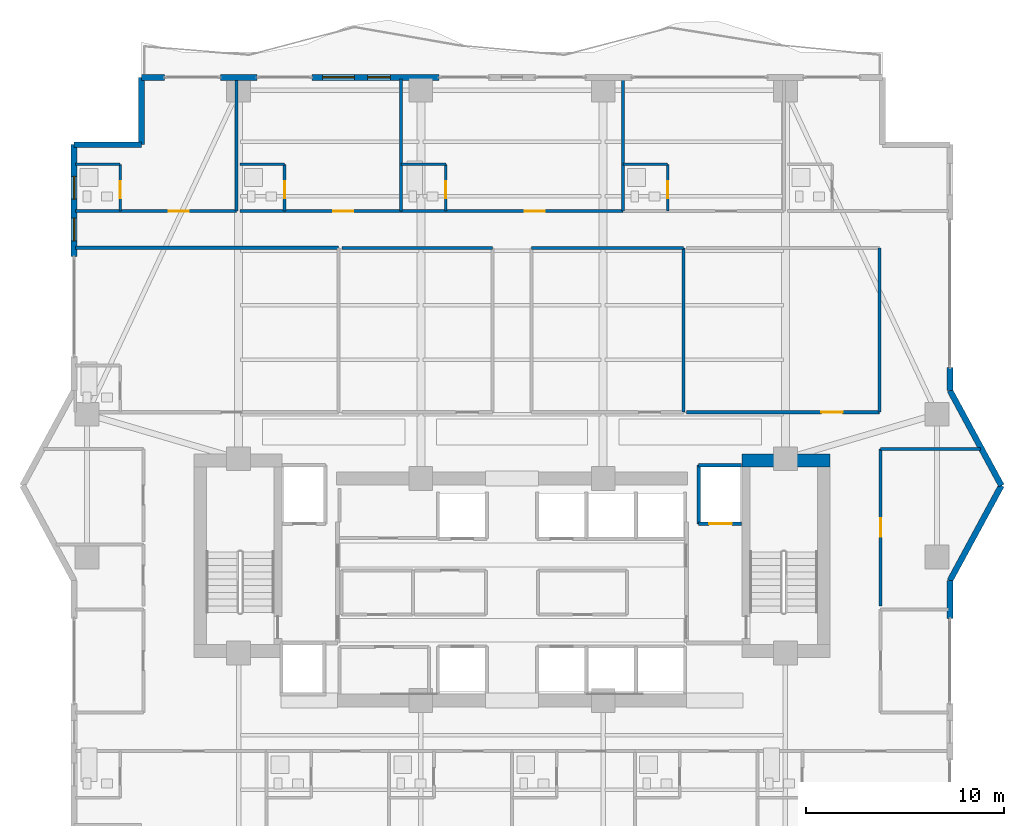
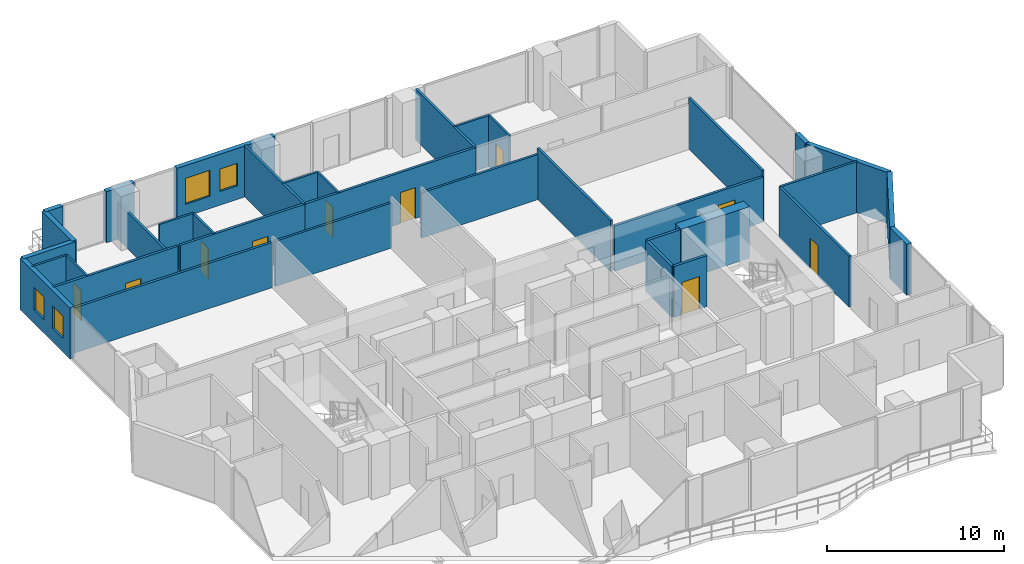
# One storey, part 27 of 32: 36 walls, 10 doors, 4 windows, 14 openings.
"""IFC4 building model written with IfcOpenShell, lengths in metres."""

import ifcopenshell
import ifcopenshell.guid

model = None  # the IFC model being written
_history = None  # IfcOwnerHistory: only IFC2X3 demands one
_inside = {}  # id of a spatial element -> (the spatial element, [elements in it])
_under = {}  # id of a project, library or spatial element -> (it, [spatial elements below it])
_declared = {}  # id of a project -> (the project, [libraries it declares])
_typed = {}  # id of a type object -> (the type object, [elements of that type])
_made_of = {}  # id of a material, layer set ... -> (it, [elements and type objects made of it])


def new_model(schema):
    """Start an empty IFC model of exactly this schema.

    Asked for "IFC4X3", IfcOpenShell would pick the latest addendum, in which some entities
    have other attributes; the version numbers below select the first issue.
    IFC2X3 requires an IfcOwnerHistory on every rooted entity: one is made here for all.
    """
    global model, _history
    if schema == "IFC4X3":
        model = ifcopenshell.file(schema_version=(4, 3, 0, 0))
    else:
        model = ifcopenshell.file(schema=schema)
    _inside.clear()
    _under.clear()
    _declared.clear()
    _typed.clear()
    _made_of.clear()
    _history = None
    if model.schema == "IFC2X3":
        org = make("IfcOrganization", Name="unknown")
        user = make(
            "IfcPersonAndOrganization",
            ThePerson=make("IfcPerson", FamilyName="unknown"),
            TheOrganization=org,
        )
        app = make(
            "IfcApplication",
            ApplicationDeveloper=org,
            Version="unknown",
            ApplicationFullName="unknown",
            ApplicationIdentifier="unknown",
        )
        _history = make(
            "IfcOwnerHistory",
            OwningUser=user,
            OwningApplication=app,
            ChangeAction="ADDED",
            CreationDate=0,
        )
    return model


def make(cls, **values):
    """One entity of the class cls with the attributes given. An attribute that is None is left unset."""
    return model.create_entity(
        cls, **{name: value for name, value in values.items() if value is not None}
    )


def rooted(cls, **values):
    """An entity with a GlobalId (a new one), such as an element, a storey or a relation."""
    return make(cls, GlobalId=ifcopenshell.guid.new(), OwnerHistory=_history, **values)


def si_unit(unit_type, name, prefix=None):
    """IfcSIUnit, for example si_unit("LENGTHUNIT", "METRE", prefix="MILLI")."""
    return make("IfcSIUnit", UnitType=unit_type, Prefix=prefix, Name=name)


def assignment(units):
    """IfcUnitAssignment: the units of a project."""
    return None if units is None else make("IfcUnitAssignment", Units=units)


def point(xyz):
    """IfcCartesianPoint."""
    return None if xyz is None else make("IfcCartesianPoint", Coordinates=xyz)


def direction(xyz):
    """IfcDirection."""
    return None if xyz is None else make("IfcDirection", DirectionRatios=xyz)


def frame(location, z_axis=None, x_axis=None):
    """IfcAxis2Placement3D, a coordinate frame: its origin and axes. An axis left out is left unset."""
    return make(
        "IfcAxis2Placement3D",
        Location=point(location),
        Axis=direction(z_axis),
        RefDirection=direction(x_axis),
    )


def frame_2d(location, x_axis=None):
    """IfcAxis2Placement2D, a coordinate frame in the plane: its origin and x axis."""
    return make(
        "IfcAxis2Placement2D", Location=point(location), RefDirection=direction(x_axis)
    )


def origin():
    """The frame at (0, 0, 0) with its axes left unset."""
    return frame((0.0, 0.0, 0.0))


def place(relative_to, where):
    """IfcLocalPlacement: puts the frame where relative to a parent placement (None: the world)."""
    return make(
        "IfcLocalPlacement", PlacementRelTo=relative_to, RelativePlacement=where
    )


def context(
    kind, dimensions, precision=None, world=None, true_north=None, identifier=None
):
    """IfcGeometricRepresentationContext, for example the 3D "Model" context."""
    return make(
        "IfcGeometricRepresentationContext",
        ContextIdentifier=identifier,
        ContextType=kind,
        CoordinateSpaceDimension=dimensions,
        Precision=precision,
        WorldCoordinateSystem=world,
        TrueNorth=true_north,
    )


def subcontext(parent, identifier, kind, view, scale=None):
    """IfcGeometricRepresentationSubContext, for example "Body" below "Model"."""
    return make(
        "IfcGeometricRepresentationSubContext",
        ContextIdentifier=identifier,
        ContextType=kind,
        ParentContext=parent,
        TargetScale=scale,
        TargetView=view,
    )


def project(units=None, contexts=None):
    """IfcProject with its units and contexts."""
    return rooted(
        "IfcProject",
        Name="project",
        RepresentationContexts=contexts,
        UnitsInContext=assignment(units),
    )


def spatial(cls, under=None, at=None, **own):
    """A site, building, storey or space (cls), placed at a placement, below another one or the project."""
    s = rooted(cls, ObjectPlacement=at, **own)
    if under is not None:
        _under.setdefault(under.id(), (under, []))[1].append(s)
    return s


def profile(cls, at=None, kind="AREA", **sizes):
    """A parametric profile (cls). Its sizes go by their IFC names, for example OverallWidth=200.0."""
    return make(cls, ProfileType=kind, Position=at, **sizes)


def rectangle(**sizes):
    """IfcRectangleProfileDef."""
    return profile("IfcRectangleProfileDef", **sizes)


def extrude(swept, where, along, depth):
    """IfcExtrudedAreaSolid: the profile swept, set in the frame where, extruded along a direction by depth."""
    return make(
        "IfcExtrudedAreaSolid",
        SweptArea=swept,
        Position=where,
        ExtrudedDirection=direction(along),
        Depth=depth,
    )


def shape(context_of_items, identifier, shape_type, items):
    """IfcShapeRepresentation: the items that make up one representation, for example the "Body"."""
    return make(
        "IfcShapeRepresentation",
        ContextOfItems=context_of_items,
        RepresentationIdentifier=identifier,
        RepresentationType=shape_type,
        Items=items,
    )


def material(Name=None, Category=None):
    """IfcMaterial."""
    return make("IfcMaterial", Name=Name, Category=Category)


def layer(
    of_material, thickness, ventilated=None, Name=None, Category=None, Priority=None
):
    """IfcMaterialLayer: one layer of a wall or slab, of a material (None: an air gap)."""
    return make(
        "IfcMaterialLayer",
        Material=of_material,
        LayerThickness=thickness,
        IsVentilated=ventilated,
        Name=Name,
        Category=Category,
        Priority=Priority,
    )


def layer_set(layers, Name=None):
    """IfcMaterialLayerSet."""
    return make("IfcMaterialLayerSet", MaterialLayers=layers, LayerSetName=Name)


def made_of(thing, what):
    """Note that an element or type object is made of a material, layer set ...; save() writes the relation."""
    if what is not None:
        _made_of.setdefault(what.id(), (what, []))[1].append(thing)
    return thing


def type_object(cls, material=None, **own):
    """A type object (cls), such as IfcWallType, which elements share."""
    return made_of(rooted(cls, **own), material)


def element(
    cls,
    number,
    at=None,
    inside=None,
    cuts=None,
    type_object=None,
    material=None,
    context=None,
    identifier="Body",
    shape_type=None,
    held_by="IfcProductDefinitionShape",
    body=None,
    shapes=None,
    **own,
):
    """One element of the class cls, such as IfcWall. Its Tag is "e" and its number.

    at: its placement. inside: the storey or other place that contains it. cuts: it is an
    opening in that element (IfcRelVoidsElement). A single representation is given by context,
    identifier, shape_type and body (its items); several are given by shapes. held_by: the class
    of the entity that holds the representations. save() writes the other relations.
    """
    e = rooted(cls, Tag="e%d" % number, ObjectPlacement=at, **own)
    if body is not None:
        shapes = [shape(context, identifier, shape_type, body)]
    if shapes is not None:
        e.Representation = make(held_by, Representations=shapes)
    if inside is not None:
        _inside.setdefault(inside.id(), (inside, []))[1].append(e)
    if cuts is not None:
        rooted(
            "IfcRelVoidsElement", RelatingBuildingElement=cuts, RelatedOpeningElement=e
        )
    if type_object is not None:
        _typed.setdefault(type_object.id(), (type_object, []))[1].append(e)
    return made_of(e, material)


def fill(opening, filler):
    """IfcRelFillsElement: the door or window that sits in an opening."""
    return rooted(
        "IfcRelFillsElement",
        RelatingOpeningElement=opening,
        RelatedBuildingElement=filler,
    )


def aggregate(whole, parts):
    """IfcRelAggregates: a whole, such as a stair, and the parts it consists of."""
    return rooted("IfcRelAggregates", RelatingObject=whole, RelatedObjects=parts)


def save(model, path):
    """Write the relations noted so far, then the file.

    IfcRelAggregates (storeys below a building ...), IfcRelContainedInSpatialStructure (elements
    in a storey), IfcRelDefinesByType, IfcRelAssociatesMaterial and IfcRelDeclares: one each for
    every whole, place, type object, material and project.
    """
    for whole, parts in _under.values():
        aggregate(whole, parts)
    for where, things in _inside.values():
        rooted(
            "IfcRelContainedInSpatialStructure",
            RelatedElements=things,
            RelatingStructure=where,
        )
    for kind, things in _typed.values():
        rooted("IfcRelDefinesByType", RelatedObjects=things, RelatingType=kind)
    for what, things in _made_of.values():
        rooted("IfcRelAssociatesMaterial", RelatedObjects=things, RelatingMaterial=what)
    for by, libraries in _declared.values():
        rooted("IfcRelDeclares", RelatingContext=by, RelatedDefinitions=libraries)
    model.write(path)


model = new_model("IFC4")

# Units and contexts
model_context = context("Model", 3, precision=1e-05, world=origin(), true_north=direction((0.0, 1.0)))
body_context = subcontext(model_context, "Body", "Model", "MODEL_VIEW")
ifc_project = project(units=[si_unit("LENGTHUNIT", "METRE"), si_unit("AREAUNIT", "SQUARE_METRE"), si_unit("VOLUMEUNIT", "CUBIC_METRE"), si_unit("PLANEANGLEUNIT", "RADIAN"), si_unit("MASSUNIT", "GRAM", prefix="KILO")], contexts=[model_context])

# Site, building, storey
site_placement = place(None, origin())
site = spatial("IfcSite", under=ifc_project, at=site_placement, CompositionType="ELEMENT")
building_placement = place(site_placement, origin())
building = spatial("IfcBuilding", under=site, at=building_placement, Name="Zuhayl Quay Hotel", CompositionType="ELEMENT")
storey_placement = place(building_placement, frame((0.0, 0.0, 188.64990234375)))
storey = spatial("IfcBuildingStorey", under=building, at=storey_placement, Name="L47", CompositionType="ELEMENT", Elevation=188.64990234375)

# Wall
ifc_material_1 = material(Name="Concrete C50/60", Category="concrete")
ifc_layer_1 = layer(ifc_material_1, 0.64990234375, Name="Concrete C50/60", Category="concrete")
ifc_layer_set_1 = layer_set([ifc_layer_1], Name="Concrete C50/60")
wall_type_1 = type_object("IfcWallType", Name="WL_CORE_650", PredefinedType="SHEAR", material=ifc_layer_set_1)
wall_1_placement = place(storey_placement, frame((11.60009765625, 14.2548828125, 0.0), z_axis=(0.0, 0.0, 1.0), x_axis=(1.0, 0.0, 0.0)))
element("IfcWall", 1, at=wall_1_placement, inside=storey, type_object=wall_type_1, Name="L47 Core Shear Wall CW_NE", PredefinedType="SHEAR", context=body_context, shape_type="SweptSolid", body=[
    extrude(rectangle(XDim=4.4599609375, YDim=0.64990234375, at=frame_2d((2.22998046875, 0.0))), origin(), (0.0, 0.0, 1.0), 3.56005859375),
])

# Wall, openings, windows
ifc_material_2 = material(Name="Precast concrete C45/55", Category="concrete")
ifc_layer_2 = layer(ifc_material_2, 0.300048828125, Name="Precast concrete C45/55", Category="concrete")
ifc_layer_set_2 = layer_set([ifc_layer_2], Name="Precast concrete C45/55")
wall_type_2 = type_object("IfcWallType", Name="WL_EXT_300", PredefinedType="STANDARD", material=ifc_layer_set_2)
wall_2_placement = place(storey_placement, frame((-22.10009765625, 24.550048828125, 0.0), z_axis=(0.0, 0.0, 1.0), x_axis=(0.0, 1.0, 0.0)))
wall_2 = element("IfcWall", 2, at=wall_2_placement, inside=storey, type_object=wall_type_2, Name="L47 Exterior Precast Wall ENV_L47_E05_EW2", PredefinedType="STANDARD", context=body_context, shape_type="SweptSolid", body=[
    extrude(rectangle(XDim=5.64990234375, YDim=0.300048828125, at=frame_2d((2.824951171875, 0.0))), origin(), (0.0, 0.0, 1.0), 3.530029296875),
])
opening_1_placement = place(wall_2_placement, frame((0.800048828125, 0.0, 0.949951171875)))
opening_1 = element("IfcOpeningElement", 3, at=opening_1_placement, cuts=wall_2, Name="Opening W01N", PredefinedType="OPENING", context=body_context, shape_type="SweptSolid", body=[
    extrude(rectangle(XDim=1.14990234375, YDim=1.550048828125, at=frame_2d((0.574951171875, 0.77490234375))), frame((0.0, 0.159912109375, 0.0), z_axis=(0.0, -1.0, 0.0), x_axis=(1.0, 0.0, 0.0)), (0.0, 0.0, 1.0), 0.320068359375),
])
opening_2_placement = place(wall_2_placement, frame((2.905029296875, 0.0, 0.949951171875)))
opening_2 = element("IfcOpeningElement", 4, at=opening_2_placement, cuts=wall_2, Name="Opening W01N", PredefinedType="OPENING", context=body_context, shape_type="SweptSolid", body=[
    extrude(rectangle(XDim=1.14990234375, YDim=1.550048828125, at=frame_2d((0.574951171875, 0.77490234375))), frame((0.0, 0.159912109375, 0.0), z_axis=(0.0, -1.0, 0.0), x_axis=(1.0, 0.0, 0.0)), (0.0, 0.0, 1.0), 0.320068359375),
])
ifc_material_3 = material(Name="Dark Ceramic-Fritted Solar Glass", Category="glass")
window_type_1 = type_object("IfcWindowType", Name="WN_NOTCH_1350", PartitioningType="SINGLE_PANEL", PredefinedType="WINDOW", material=ifc_material_3)
window_1_placement = place(opening_1_placement, origin())
window_1 = element("IfcWindow", 5, at=window_1_placement, inside=storey, type_object=window_type_1, Name="L47 Operable Facade Window 2-1", OverallHeight=1.550048828125, OverallWidth=1.14990234375, PartitioningType="SINGLE_PANEL", PredefinedType="WINDOW", context=body_context, shape_type="SweptSolid", body=[
    extrude(rectangle(XDim=1.14990234375, YDim=1.550048828125, at=frame_2d((0.574951171875, 0.77490234375))), frame((0.0, 0.030029296875, 0.0), z_axis=(0.0, -1.0, 0.0), x_axis=(1.0, 0.0, 0.0)), (0.0, 0.0, 1.0), 0.06005859375),
])
fill(opening_1, window_1)
window_2_placement = place(opening_2_placement, origin())
window_2 = element("IfcWindow", 6, at=window_2_placement, inside=storey, type_object=window_type_1, Name="L47 Operable Facade Window 2-2", OverallHeight=1.550048828125, OverallWidth=1.14990234375, PartitioningType="SINGLE_PANEL", PredefinedType="WINDOW", context=body_context, shape_type="SweptSolid", body=[
    extrude(rectangle(XDim=1.14990234375, YDim=1.550048828125, at=frame_2d((0.574951171875, 0.77490234375))), frame((0.0, 0.030029296875, 0.0), z_axis=(0.0, -1.0, 0.0), x_axis=(1.0, 0.0, 0.0)), (0.0, 0.0, 1.0), 0.06005859375),
])
fill(opening_2, window_2)

# Walls
for number, where, z_axis, x_axis, name in (
    (7, (-22.10009765625, 30.199951171875, 0.0), (0.0, 0.0, 1.0), (1.0, 0.0, 0.0), "L47 Exterior Precast Wall ENV_L47_EW06"),
    (8, (-18.699951171875, 30.199951171875, 0.0), (0.0, 0.0, 1.0), (0.0, 1.0, 0.0), "L47 Exterior Precast Wall ENV_L47_EW07"),
):
    element("IfcWall", number, at=place(storey_placement, frame(where, z_axis=z_axis, x_axis=x_axis)), inside=storey, type_object=wall_type_2, Name=name, PredefinedType="STANDARD", context=body_context, shape_type="SweptSolid", body=[
        extrude(rectangle(XDim=3.400146484375, YDim=0.300048828125, at=frame_2d((1.7001953125, 0.0))), origin(), (0.0, 0.0, 1.0), 3.530029296875),
    ])
wall_3_placement = place(storey_placement, frame((-18.699951171875, 33.60009765625, 0.0), z_axis=(0.0, 0.0, 1.0), x_axis=(1.0, 0.0, 0.0)))
element("IfcWall", 9, at=wall_3_placement, inside=storey, type_object=wall_type_2, Name="L47 Exterior Precast Wall ENV_L47_N_EW1", PredefinedType="STANDARD", context=body_context, shape_type="SweptSolid", body=[
    extrude(rectangle(XDim=1.14990234375, YDim=0.300048828125, at=frame_2d((0.574951171875, 0.0))), origin(), (0.0, 0.0, 1.0), 3.530029296875),
])
wall_4_placement = place(storey_placement, frame((-14.719970703125, 33.60009765625, 0.0), z_axis=(0.0, 0.0, 1.0), x_axis=(1.0, 0.0, 0.0)))
element("IfcWall", 10, at=wall_4_placement, inside=storey, type_object=wall_type_2, Name="L47 Exterior Precast Wall ENV_L47_N_EW2", PredefinedType="STANDARD", context=body_context, shape_type="SweptSolid", body=[
    extrude(rectangle(XDim=1.840087890625, YDim=0.300048828125, at=frame_2d((0.919921875, 0.0))), origin(), (0.0, 0.0, 1.0), 3.530029296875),
])

# Wall, openings, windows
wall_5_placement = place(storey_placement, frame((-10.10400390625, 33.60009765625, 0.0), z_axis=(0.0, 0.0, 1.0), x_axis=(1.0, 0.0, 0.0)))
wall_5 = element("IfcWall", 11, at=wall_5_placement, inside=storey, type_object=wall_type_2, Name="L47 Exterior Precast Wall ENV_L47_N_EW3", PredefinedType="STANDARD", context=body_context, shape_type="SweptSolid", body=[
    extrude(rectangle(XDim=6.424072265625, YDim=0.300048828125, at=frame_2d((3.2119140625, 0.0))), origin(), (0.0, 0.0, 1.0), 3.530029296875),
])
opening_3_placement = place(wall_5_placement, frame((0.550048828125, 0.0, 0.85009765625)))
opening_3 = element("IfcOpeningElement", 12, at=opening_3_placement, cuts=wall_5, Name="Opening W01", PredefinedType="OPENING", context=body_context, shape_type="SweptSolid", body=[
    extrude(rectangle(XDim=1.60009765625, YDim=1.800048828125, at=frame_2d((0.800048828125, 0.89990234375))), frame((0.0, 0.159912109375, 0.0), z_axis=(0.0, -1.0, 0.0), x_axis=(1.0, 0.0, 0.0)), (0.0, 0.0, 1.0), 0.320068359375),
])
opening_4_placement = place(wall_5_placement, frame((2.81689453125, 0.0, 0.949951171875)))
opening_4 = element("IfcOpeningElement", 13, at=opening_4_placement, cuts=wall_5, Name="Opening W01N", PredefinedType="OPENING", context=body_context, shape_type="SweptSolid", body=[
    extrude(rectangle(XDim=1.14990234375, YDim=1.550048828125, at=frame_2d((0.574951171875, 0.77490234375))), frame((0.0, 0.159912109375, 0.0), z_axis=(0.0, -1.0, 0.0), x_axis=(1.0, 0.0, 0.0)), (0.0, 0.0, 1.0), 0.320068359375),
])
window_3_placement = place(opening_4_placement, origin())
window_3 = element("IfcWindow", 14, at=window_3_placement, inside=storey, type_object=window_type_1, Name="L47 Operable Facade Window 3-1", OverallHeight=1.550048828125, OverallWidth=1.14990234375, PartitioningType="SINGLE_PANEL", PredefinedType="WINDOW", context=body_context, shape_type="SweptSolid", body=[
    extrude(rectangle(XDim=1.14990234375, YDim=1.550048828125, at=frame_2d((0.574951171875, 0.77490234375))), frame((0.0, 0.030029296875, 0.0), z_axis=(0.0, -1.0, 0.0), x_axis=(1.0, 0.0, 0.0)), (0.0, 0.0, 1.0), 0.06005859375),
])
fill(opening_4, window_3)
window_type_2 = type_object("IfcWindowType", Name="WN_OPERABLE_1600", PartitioningType="DOUBLE_PANEL_VERTICAL", PredefinedType="WINDOW", material=ifc_material_3)
window_4_placement = place(opening_3_placement, origin())
window_4 = element("IfcWindow", 15, at=window_4_placement, inside=storey, type_object=window_type_2, Name="L47 North Operable Casement Window", OverallHeight=1.800048828125, OverallWidth=1.60009765625, PartitioningType="SINGLE_PANEL", PredefinedType="WINDOW", context=body_context, shape_type="SweptSolid", body=[
    extrude(rectangle(XDim=1.60009765625, YDim=1.800048828125, at=frame_2d((0.800048828125, 0.89990234375))), frame((0.0, 0.030029296875, 0.0), z_axis=(0.0, -1.0, 0.0), x_axis=(1.0, 0.0, 0.0)), (0.0, 0.0, 1.0), 0.06005859375),
])
fill(opening_3, window_4)

# Walls
wall_6_placement = place(storey_placement, frame((22.10009765625, 18.949951171875, 0.0), z_axis=(0.0, 0.0, 1.0), x_axis=(0.0, -1.0, 0.0)))
element("IfcWall", 16, at=wall_6_placement, inside=storey, type_object=wall_type_2, Name="L47 Exterior Precast Wall ENV_L47_E11_EW2", PredefinedType="STANDARD", context=body_context, shape_type="SweptSolid", body=[
    extrude(rectangle(XDim=1.14990234375, YDim=0.300048828125, at=frame_2d((0.574951171875, 0.0))), origin(), (0.0, 0.0, 1.0), 3.530029296875),
])
for number, where, z_axis, x_axis, name in (
    (17, (22.10009765625, 17.800048828125, 0.0), (0.0, 0.0, 1.0), (0.476258655584, -0.879305233114, 0.0), "L47 Exterior Precast Wall ENV_L47_EW12"),
    (18, (24.699951171875, 13.0, 0.0), (0.0, 0.0, 1.0), (-0.476258655584, -0.879305233114, 0.0), "L47 Exterior Precast Wall ENV_L47_EW13"),
):
    element("IfcWall", number, at=place(storey_placement, frame(where, z_axis=z_axis, x_axis=x_axis)), inside=storey, type_object=wall_type_2, Name=name, PredefinedType="STANDARD", context=body_context, shape_type="SweptSolid", body=[
        extrude(rectangle(XDim=5.458984375, YDim=0.300048828125, at=frame_2d((2.7294921875, 0.0))), origin(), (0.0, 0.0, 1.0), 3.530029296875),
    ])
wall_7_placement = place(storey_placement, frame((22.10009765625, 8.199951171875, 0.0), z_axis=(0.0, 0.0, 1.0), x_axis=(0.0, -1.0, 0.0)))
element("IfcWall", 19, at=wall_7_placement, inside=storey, type_object=wall_type_2, Name="L47 Exterior Precast Wall ENV_L47_E14_EW1", PredefinedType="STANDARD", context=body_context, shape_type="SweptSolid", body=[
    extrude(rectangle(XDim=1.89990234375, YDim=0.300048828125, at=frame_2d((0.949951171875, 0.0))), origin(), (0.0, 0.0, 1.0), 3.530029296875),
])
ifc_material_4 = material(Name="Acoustic Gypsum Partition STC-58")
ifc_layer_3 = layer(ifc_material_4, 0.14990234375, Name="Acoustic Gypsum Partition STC-58")
ifc_layer_set_3 = layer_set([ifc_layer_3], Name="Acoustic Gypsum Partition STC-58")
wall_type_3 = type_object("IfcWallType", Name="WL_PART_150", PredefinedType="PARTITIONING", material=ifc_layer_set_3)
wall_8_placement = place(storey_placement, frame((-13.89990234375, 26.85009765625, 0.0), z_axis=(0.0, 0.0, 1.0), x_axis=(0.0, 1.0, 0.0)))
element("IfcWall", 20, at=wall_8_placement, inside=storey, type_object=wall_type_3, Name="L47 Partition IW_L47_NU01A_E", PredefinedType="PARTITIONING", context=body_context, shape_type="SweptSolid", body=[
    extrude(rectangle(XDim=6.669921875, YDim=0.14990234375, at=frame_2d((3.3349609375, 0.0))), origin(), (0.0, 0.0, 1.0), 2.51904296875),
])
for number, where, z_axis, x_axis, name in (
    (21, (-5.60009765625, 26.85009765625, 0.0), (0.0, 0.0, 1.0), (0.0, 1.0, 0.0), "L47 Partition IW_L47_NU01B_E"),
    (22, (5.60009765625, 26.85009765625, 0.0), (0.0, 0.0, 1.0), (0.0, 1.0, 0.0), "L47 Partition IW_L47_NU02_E"),
):
    element("IfcWall", number, at=place(storey_placement, frame(where, z_axis=z_axis, x_axis=x_axis)), inside=storey, type_object=wall_type_3, Name=name, PredefinedType="PARTITIONING", context=body_context, shape_type="SweptSolid", body=[
        extrude(rectangle(XDim=6.669921875, YDim=0.14990234375, at=frame_2d((3.3349609375, 0.0))), origin(), (0.0, 0.0, 1.0), 3.530029296875),
    ])
wall_9_placement = place(storey_placement, frame((-8.590087890625, 25.0, 0.0), z_axis=(0.0, 0.0, 1.0), x_axis=(1.0, 0.0, 0.0)))
element("IfcWall", 23, at=wall_9_placement, inside=storey, type_object=wall_type_3, Name="L47 Partition IW_L47_Z3_SAL_M2_N", PredefinedType="PARTITIONING", context=body_context, shape_type="SweptSolid", body=[
    extrude(rectangle(XDim=7.610107421875, YDim=0.14990234375, at=frame_2d((3.80517578125, 0.0))), origin(), (0.0, 0.0, 1.0), 3.1240234375),
])
wall_10_placement = place(storey_placement, frame((0.97998046875, 25.0, 0.0), z_axis=(0.0, 0.0, 1.0), x_axis=(1.0, 0.0, 0.0)))
element("IfcWall", 24, at=wall_10_placement, inside=storey, type_object=wall_type_3, Name="L47 Partition IW_L47_Z3_SAL_E1_N", PredefinedType="PARTITIONING", context=body_context, shape_type="SweptSolid", body=[
    extrude(rectangle(XDim=7.669921875, YDim=0.14990234375, at=frame_2d((3.8349609375, 0.0))), origin(), (0.0, 0.0, 1.0), 3.1240234375),
])
for number, where, z_axis, x_axis, name in (
    (25, (8.64990234375, 16.699951171875, 0.0), (0.0, 0.0, 1.0), (0.0, 1.0, 0.0), "L47 Partition IW_L47_Z3_SAL_E1_E"),
    (26, (18.550048828125, 16.699951171875, 0.0), (0.0, 0.0, 1.0), (0.0, 1.0, 0.0), "L47 Partition IW_L47_Z3_SAL_E2_E"),
):
    element("IfcWall", number, at=place(storey_placement, frame(where, z_axis=z_axis, x_axis=x_axis)), inside=storey, type_object=wall_type_3, Name=name, PredefinedType="PARTITIONING", context=body_context, shape_type="SweptSolid", body=[
        extrude(rectangle(XDim=8.300048828125, YDim=0.14990234375, at=frame_2d((4.14990234375, 0.0))), origin(), (0.0, 0.0, 1.0), 3.530029296875),
    ])
wall_11_placement = place(storey_placement, frame((18.60009765625, 14.85009765625, 0.0), z_axis=(0.0, 0.0, 1.0), x_axis=(1.0, 0.0, 0.0)))
element("IfcWall", 27, at=wall_11_placement, inside=storey, type_object=wall_type_3, Name="L47 Partition IW_L47_EFLK_2_N", PredefinedType="PARTITIONING", context=body_context, shape_type="SweptSolid", body=[
    extrude(rectangle(XDim=5.037841796875, YDim=0.14990234375, at=frame_2d((2.51904296875, 0.0))), origin(), (0.0, 0.0, 1.0), 3.530029296875),
])

# Wall, opening, door
ifc_layer_4 = layer(ifc_material_4, 0.159912109375, Name="Acoustic Gypsum Partition STC-58")
ifc_layer_set_4 = layer_set([ifc_layer_4], Name="Acoustic Gypsum Partition STC-58")
wall_type_4 = type_object("IfcWallType", Name="WL_PART_CORR_160", PredefinedType="PARTITIONING", material=ifc_layer_set_4)
wall_12_placement = place(storey_placement, frame((-22.0400390625, 26.85009765625, 0.0), z_axis=(0.0, 0.0, 1.0), x_axis=(1.0, 0.0, 0.0)))
wall_12 = element("IfcWall", 28, at=wall_12_placement, inside=storey, type_object=wall_type_4, Name="L47 Partition IW_L47_NU01A_COR", PredefinedType="PARTITIONING", context=body_context, shape_type="SweptSolid", body=[
    extrude(rectangle(XDim=8.14013671875, YDim=0.159912109375, at=frame_2d((4.070068359375, 0.0))), origin(), (0.0, 0.0, 1.0), 3.530029296875),
])
opening_5_placement = place(wall_12_placement, frame((4.719970703125, 0.0, 0.0)))
opening_5 = element("IfcOpeningElement", 29, at=opening_5_placement, cuts=wall_12, Name="Opening D03L", PredefinedType="OPENING", context=body_context, shape_type="SweptSolid", body=[
    extrude(rectangle(XDim=1.0, YDim=2.14990234375, at=frame_2d((0.5, 1.074951171875))), frame((0.0, 0.08984375, 0.0), z_axis=(0.0, -1.0, 0.0), x_axis=(1.0, 0.0, 0.0)), (0.0, 0.0, 1.0), 0.179931640625),
])
ifc_material_5 = material(Name="Solid Walnut Acoustic Fire Door")
door_type_1 = type_object("IfcDoorType", Name="DR_SUITE_1000", OperationType="NOTDEFINED", PredefinedType="DOOR", material=ifc_material_5)
door_1_placement = place(opening_5_placement, origin())
door_1 = element("IfcDoor", 30, at=door_1_placement, inside=storey, type_object=door_type_1, Name="L47 Panoramic Gulf Suite L47-01A Entrance Door", OperationType="SINGLE_SWING_RIGHT", OverallHeight=2.14990234375, OverallWidth=1.0, PredefinedType="DOOR", context=body_context, shape_type="SweptSolid", body=[
    extrude(rectangle(XDim=1.0, YDim=2.14990234375, at=frame_2d((0.5, 1.074951171875))), frame((0.0, 0.02490234375, 0.0), z_axis=(0.0, -1.0, 0.0), x_axis=(1.0, 0.0, 0.0)), (0.0, 0.0, 1.0), 0.050048828125),
])
fill(opening_5, door_1)

wall_13_placement = place(storey_placement, frame((-13.739990234375, 26.85009765625, 0.0), z_axis=(0.0, 0.0, 1.0), x_axis=(1.0, 0.0, 0.0)))
wall_13 = element("IfcWall", 31, at=wall_13_placement, inside=storey, type_object=wall_type_4, Name="L47 Partition IW_L47_NU01B_COR", PredefinedType="PARTITIONING", context=body_context, shape_type="SweptSolid", body=[
    extrude(rectangle(XDim=8.139892578125, YDim=0.159912109375, at=frame_2d((4.06982421875, 0.0))), origin(), (0.0, 0.0, 1.0), 3.530029296875),
])
opening_6_placement = place(wall_13_placement, frame((4.719970703125, 0.0, 0.0)))
opening_6 = element("IfcOpeningElement", 32, at=opening_6_placement, cuts=wall_13, Name="Opening D03L", PredefinedType="OPENING", context=body_context, shape_type="SweptSolid", body=[
    extrude(rectangle(XDim=1.0, YDim=2.14990234375, at=frame_2d((0.5, 1.074951171875))), frame((0.0, 0.08984375, 0.0), z_axis=(0.0, -1.0, 0.0), x_axis=(1.0, 0.0, 0.0)), (0.0, 0.0, 1.0), 0.179931640625),
])
door_2_placement = place(opening_6_placement, origin())
door_2 = element("IfcDoor", 33, at=door_2_placement, inside=storey, type_object=door_type_1, Name="L47 Panoramic Gulf Suite L47-01B Entrance Door", OperationType="SINGLE_SWING_RIGHT", OverallHeight=2.14990234375, OverallWidth=1.0, PredefinedType="DOOR", context=body_context, shape_type="SweptSolid", body=[
    extrude(rectangle(XDim=1.0, YDim=2.14990234375, at=frame_2d((0.5, 1.074951171875))), frame((0.0, 0.02490234375, 0.0), z_axis=(0.0, -1.0, 0.0), x_axis=(1.0, 0.0, 0.0)), (0.0, 0.0, 1.0), 0.050048828125),
])
fill(opening_6, door_2)

wall_14_placement = place(storey_placement, frame((-5.60009765625, 26.85009765625, 0.0), z_axis=(0.0, 0.0, 1.0), x_axis=(1.0, 0.0, 0.0)))
wall_14 = element("IfcWall", 34, at=wall_14_placement, inside=storey, type_object=wall_type_4, Name="L47 Partition IW_L47_NU02_COR", PredefinedType="PARTITIONING", context=body_context, shape_type="SweptSolid", body=[
    extrude(rectangle(XDim=11.2001953125, YDim=0.159912109375, at=frame_2d((5.60009765625, 0.0))), origin(), (0.0, 0.0, 1.0), 3.530029296875),
])
opening_7_placement = place(wall_14_placement, frame((6.25, 0.0, 0.0)))
opening_7 = element("IfcOpeningElement", 35, at=opening_7_placement, cuts=wall_14, Name="Opening D03L", PredefinedType="OPENING", context=body_context, shape_type="SweptSolid", body=[
    extrude(rectangle(XDim=1.0, YDim=2.14990234375, at=frame_2d((0.5, 1.074951171875))), frame((0.0, 0.08984375, 0.0), z_axis=(0.0, -1.0, 0.0), x_axis=(1.0, 0.0, 0.0)), (0.0, 0.0, 1.0), 0.179931640625),
])
door_3_placement = place(opening_7_placement, origin())
door_3 = element("IfcDoor", 36, at=door_3_placement, inside=storey, type_object=door_type_1, Name="L47 Panoramic Gulf Suite L47-02 Entrance Door", OperationType="SINGLE_SWING_RIGHT", OverallHeight=2.14990234375, OverallWidth=1.0, PredefinedType="DOOR", context=body_context, shape_type="SweptSolid", body=[
    extrude(rectangle(XDim=1.0, YDim=2.14990234375, at=frame_2d((0.5, 1.074951171875))), frame((0.0, 0.02490234375, 0.0), z_axis=(0.0, -1.0, 0.0), x_axis=(1.0, 0.0, 0.0)), (0.0, 0.0, 1.0), 0.050048828125),
])
fill(opening_7, door_3)

wall_15_placement = place(storey_placement, frame((8.81005859375, 16.699951171875, 0.0), z_axis=(0.0, 0.0, 1.0), x_axis=(1.0, 0.0, 0.0)))
wall_15 = element("IfcWall", 37, at=wall_15_placement, inside=storey, type_object=wall_type_4, Name="L47 Partition IW_L47_Z3_SAL_E2_S", PredefinedType="PARTITIONING", context=body_context, shape_type="SweptSolid", body=[
    extrude(rectangle(XDim=9.739990234375, YDim=0.159912109375, at=frame_2d((4.8701171875, 0.0))), origin(), (0.0, 0.0, 1.0), 3.1240234375),
])
opening_8_placement = place(wall_15_placement, frame((6.800048828125, 0.0, 0.0)))
opening_8 = element("IfcOpeningElement", 38, at=opening_8_placement, cuts=wall_15, Name="Opening D05A", PredefinedType="OPENING", context=body_context, shape_type="SweptSolid", body=[
    extrude(rectangle(XDim=1.080078125, YDim=2.179931640625, at=frame_2d((0.5400390625, 1.08984375))), frame((0.0, 0.08984375, 0.0), z_axis=(0.0, -1.0, 0.0), x_axis=(1.0, 0.0, 0.0)), (0.0, 0.0, 1.0), 0.179931640625),
])
door_type_2 = type_object("IfcDoorType", Name="DR_INT_1100", OperationType="NOTDEFINED", PredefinedType="DOOR", material=ifc_material_5)
door_4_placement = place(opening_8_placement, origin())
door_4 = element("IfcDoor", 39, at=door_4_placement, inside=storey, type_object=door_type_2, Name="L47 Botanical Tea Salon Door", OperationType="SINGLE_SWING_LEFT", OverallHeight=2.179931640625, OverallWidth=1.080078125, PredefinedType="DOOR", context=body_context, shape_type="SweptSolid", body=[
    extrude(rectangle(XDim=1.080078125, YDim=2.179931640625, at=frame_2d((0.5400390625, 1.08984375))), frame((0.0, 0.02490234375, 0.0), z_axis=(0.0, -1.0, 0.0), x_axis=(1.0, 0.0, 0.0)), (0.0, 0.0, 1.0), 0.050048828125),
])
fill(opening_8, door_4)

wall_16_placement = place(storey_placement, frame((18.60009765625, 6.909912109375, 0.0), z_axis=(0.0, 0.0, 1.0), x_axis=(0.0, 1.0, 0.0)))
wall_16 = element("IfcWall", 40, at=wall_16_placement, inside=storey, type_object=wall_type_4, Name="L47 Partition IW_L47_EFLK_2_W", PredefinedType="PARTITIONING", context=body_context, shape_type="SweptSolid", body=[
    extrude(rectangle(XDim=7.940185546875, YDim=0.159912109375, at=frame_2d((3.97021484375, 0.0))), origin(), (0.0, 0.0, 1.0), 3.530029296875),
])
opening_9_placement = place(wall_16_placement, frame((3.510009765625, 0.0, 0.0)))
opening_9 = element("IfcOpeningElement", 41, at=opening_9_placement, cuts=wall_16, Name="Opening D05", PredefinedType="OPENING", context=body_context, shape_type="SweptSolid", body=[
    extrude(rectangle(XDim=0.919921875, YDim=2.1201171875, at=frame_2d((0.4599609375, 1.06005859375))), frame((0.0, 0.08984375, 0.0), z_axis=(0.0, -1.0, 0.0), x_axis=(1.0, 0.0, 0.0)), (0.0, 0.0, 1.0), 0.179931640625),
])
door_type_3 = type_object("IfcDoorType", Name="DR_INT_950", OperationType="NOTDEFINED", PredefinedType="DOOR", material=ifc_material_5)
door_5_placement = place(opening_9_placement, origin())
door_5 = element("IfcDoor", 42, at=door_5_placement, inside=storey, type_object=door_type_3, Name="L47 East Prow Reading Lounge L47 Door", OperationType="SINGLE_SWING_LEFT", OverallHeight=2.1201171875, OverallWidth=0.919921875, PredefinedType="DOOR", context=body_context, shape_type="SweptSolid", body=[
    extrude(rectangle(XDim=0.919921875, YDim=2.1201171875, at=frame_2d((0.4599609375, 1.06005859375))), frame((0.0, 0.02490234375, 0.0), z_axis=(0.0, -1.0, 0.0), x_axis=(1.0, 0.0, 0.0)), (0.0, 0.0, 1.0), 0.050048828125),
])
fill(opening_9, door_5)

# Wall
wall_17_placement = place(storey_placement, frame((-22.0400390625, 25.0, 0.0), z_axis=(0.0, 0.0, 1.0), x_axis=(1.0, 0.0, 0.0)))
element("IfcWall", 43, at=wall_17_placement, inside=storey, type_object=wall_type_4, Name="L47 Partition IW_L47_MU01_BK", PredefinedType="PARTITIONING", context=body_context, shape_type="SweptSolid", body=[
    extrude(rectangle(XDim=13.2900390625, YDim=0.159912109375, at=frame_2d((6.64501953125, 0.0))), origin(), (0.0, 0.0, 1.0), 3.1240234375),
])

# Wall, opening, door
ifc_material_6 = material(Name="Moisture-Resistant Sanitarychase Gypsum")
ifc_layer_5 = layer(ifc_material_6, 0.135009765625, Name="Moisture-Resistant Sanitarychase Gypsum")
ifc_layer_set_5 = layer_set([ifc_layer_5], Name="Moisture-Resistant Sanitarychase Gypsum")
wall_type_5 = type_object("IfcWallType", Name="WL_PART_PLUMB_150", PredefinedType="PLUMBINGWALL", material=ifc_layer_set_5)
wall_18_placement = place(storey_placement, frame((-19.780029296875, 26.85009765625, 0.0), z_axis=(0.0, 0.0, 1.0), x_axis=(0.0, 1.0, 0.0)))
wall_18 = element("IfcWall", 44, at=wall_18_placement, inside=storey, type_object=wall_type_5, Name="L47 Partition IW_L47_NU01A_BE", PredefinedType="PLUMBINGWALL", context=body_context, shape_type="SweptSolid", body=[
    extrude(rectangle(XDim=2.35986328125, YDim=0.135009765625, at=frame_2d((1.179931640625, 0.0))), origin(), (0.0, 0.0, 1.0), 3.530029296875),
])
opening_10_placement = place(wall_18_placement, frame((0.64990234375, 0.0, 0.0)))
opening_10 = element("IfcOpeningElement", 45, at=opening_10_placement, cuts=wall_18, Name="Opening D04", PredefinedType="OPENING", context=body_context, shape_type="SweptSolid", body=[
    extrude(rectangle(XDim=0.85009765625, YDim=2.10009765625, at=frame_2d((0.425048828125, 1.050048828125))), frame((0.0, 0.077392578125, 0.0), z_axis=(0.0, -1.0, 0.0), x_axis=(1.0, 0.0, 0.0)), (0.0, 0.0, 1.0), 0.155029296875),
])
ifc_material_7 = material(Name="Moisture-Resistant Walnut Veneer")
door_type_4 = type_object("IfcDoorType", Name="DR_BATH_850", OperationType="NOTDEFINED", PredefinedType="DOOR", material=ifc_material_7)
door_6_placement = place(opening_10_placement, origin())
door_6 = element("IfcDoor", 46, at=door_6_placement, inside=storey, type_object=door_type_4, Name="L47 Panoramic Gulf Suite L47-01A En-Suite Door", OperationType="SINGLE_SWING_LEFT", OverallHeight=2.10009765625, OverallWidth=0.85009765625, PredefinedType="DOOR", context=body_context, shape_type="SweptSolid", body=[
    extrude(rectangle(XDim=0.85009765625, YDim=2.10009765625, at=frame_2d((0.425048828125, 1.050048828125))), frame((0.0, 0.02490234375, 0.0), z_axis=(0.0, -1.0, 0.0), x_axis=(1.0, 0.0, 0.0)), (0.0, 0.0, 1.0), 0.050048828125),
])
fill(opening_10, door_6)

wall_19_placement = place(storey_placement, frame((-11.47998046875, 26.85009765625, 0.0), z_axis=(0.0, 0.0, 1.0), x_axis=(0.0, 1.0, 0.0)))
wall_19 = element("IfcWall", 47, at=wall_19_placement, inside=storey, type_object=wall_type_5, Name="L47 Partition IW_L47_NU01B_BE", PredefinedType="PLUMBINGWALL", context=body_context, shape_type="SweptSolid", body=[
    extrude(rectangle(XDim=2.35986328125, YDim=0.135009765625, at=frame_2d((1.179931640625, 0.0))), origin(), (0.0, 0.0, 1.0), 3.530029296875),
])
opening_11_placement = place(wall_19_placement, frame((0.64990234375, 0.0, 0.0)))
opening_11 = element("IfcOpeningElement", 48, at=opening_11_placement, cuts=wall_19, Name="Opening D04", PredefinedType="OPENING", context=body_context, shape_type="SweptSolid", body=[
    extrude(rectangle(XDim=0.85009765625, YDim=2.10009765625, at=frame_2d((0.425048828125, 1.050048828125))), frame((0.0, 0.077392578125, 0.0), z_axis=(0.0, -1.0, 0.0), x_axis=(1.0, 0.0, 0.0)), (0.0, 0.0, 1.0), 0.155029296875),
])
door_7_placement = place(opening_11_placement, origin())
door_7 = element("IfcDoor", 49, at=door_7_placement, inside=storey, type_object=door_type_4, Name="L47 Panoramic Gulf Suite L47-01B En-Suite Door", OperationType="SINGLE_SWING_LEFT", OverallHeight=2.10009765625, OverallWidth=0.85009765625, PredefinedType="DOOR", context=body_context, shape_type="SweptSolid", body=[
    extrude(rectangle(XDim=0.85009765625, YDim=2.10009765625, at=frame_2d((0.425048828125, 1.050048828125))), frame((0.0, 0.02490234375, 0.0), z_axis=(0.0, -1.0, 0.0), x_axis=(1.0, 0.0, 0.0)), (0.0, 0.0, 1.0), 0.050048828125),
])
fill(opening_11, door_7)

wall_20_placement = place(storey_placement, frame((-3.340087890625, 26.85009765625, 0.0), z_axis=(0.0, 0.0, 1.0), x_axis=(0.0, 1.0, 0.0)))
wall_20 = element("IfcWall", 50, at=wall_20_placement, inside=storey, type_object=wall_type_5, Name="L47 Partition IW_L47_NU02_BE", PredefinedType="PLUMBINGWALL", context=body_context, shape_type="SweptSolid", body=[
    extrude(rectangle(XDim=2.35986328125, YDim=0.135009765625, at=frame_2d((1.179931640625, 0.0))), origin(), (0.0, 0.0, 1.0), 3.530029296875),
])
opening_12_placement = place(wall_20_placement, frame((0.64990234375, 0.0, 0.0)))
opening_12 = element("IfcOpeningElement", 51, at=opening_12_placement, cuts=wall_20, Name="Opening D04", PredefinedType="OPENING", context=body_context, shape_type="SweptSolid", body=[
    extrude(rectangle(XDim=0.85009765625, YDim=2.10009765625, at=frame_2d((0.425048828125, 1.050048828125))), frame((0.0, 0.077392578125, 0.0), z_axis=(0.0, -1.0, 0.0), x_axis=(1.0, 0.0, 0.0)), (0.0, 0.0, 1.0), 0.155029296875),
])
door_8_placement = place(opening_12_placement, origin())
door_8 = element("IfcDoor", 52, at=door_8_placement, inside=storey, type_object=door_type_4, Name="L47 Panoramic Gulf Suite L47-02 En-Suite Door", OperationType="SINGLE_SWING_LEFT", OverallHeight=2.10009765625, OverallWidth=0.85009765625, PredefinedType="DOOR", context=body_context, shape_type="SweptSolid", body=[
    extrude(rectangle(XDim=0.85009765625, YDim=2.10009765625, at=frame_2d((0.425048828125, 1.050048828125))), frame((0.0, 0.02490234375, 0.0), z_axis=(0.0, -1.0, 0.0), x_axis=(1.0, 0.0, 0.0)), (0.0, 0.0, 1.0), 0.050048828125),
])
fill(opening_12, door_8)

wall_21_placement = place(storey_placement, frame((7.860107421875, 26.85009765625, 0.0), z_axis=(0.0, 0.0, 1.0), x_axis=(0.0, 1.0, 0.0)))
wall_21 = element("IfcWall", 53, at=wall_21_placement, inside=storey, type_object=wall_type_5, Name="L47 Partition IW_L47_NU03A_BE", PredefinedType="PLUMBINGWALL", context=body_context, shape_type="SweptSolid", body=[
    extrude(rectangle(XDim=2.35986328125, YDim=0.135009765625, at=frame_2d((1.179931640625, 0.0))), origin(), (0.0, 0.0, 1.0), 3.530029296875),
])
opening_13_placement = place(wall_21_placement, frame((0.64990234375, 0.0, 0.0)))
opening_13 = element("IfcOpeningElement", 54, at=opening_13_placement, cuts=wall_21, Name="Opening D04", PredefinedType="OPENING", context=body_context, shape_type="SweptSolid", body=[
    extrude(rectangle(XDim=0.85009765625, YDim=2.10009765625, at=frame_2d((0.425048828125, 1.050048828125))), frame((0.0, 0.077392578125, 0.0), z_axis=(0.0, -1.0, 0.0), x_axis=(1.0, 0.0, 0.0)), (0.0, 0.0, 1.0), 0.155029296875),
])
door_9_placement = place(opening_13_placement, origin())
door_9 = element("IfcDoor", 55, at=door_9_placement, inside=storey, type_object=door_type_4, Name="L47 Panoramic Gulf Suite L47-03A En-Suite Door", OperationType="SINGLE_SWING_LEFT", OverallHeight=2.10009765625, OverallWidth=0.85009765625, PredefinedType="DOOR", context=body_context, shape_type="SweptSolid", body=[
    extrude(rectangle(XDim=0.85009765625, YDim=2.10009765625, at=frame_2d((0.425048828125, 1.050048828125))), frame((0.0, 0.02490234375, 0.0), z_axis=(0.0, -1.0, 0.0), x_axis=(1.0, 0.0, 0.0)), (0.0, 0.0, 1.0), 0.050048828125),
])
fill(opening_13, door_9)

# Walls
for number, where, z_axis, x_axis, name in (
    (56, (-22.0400390625, 29.2099609375, 0.0), (0.0, 0.0, 1.0), (1.0, 0.0, 0.0), "L47 Partition IW_L47_NU01A_BN"),
    (57, (-13.739990234375, 29.2099609375, 0.0), (0.0, 0.0, 1.0), (1.0, 0.0, 0.0), "L47 Partition IW_L47_NU01B_BN"),
    (58, (-5.60009765625, 29.2099609375, 0.0), (0.0, 0.0, 1.0), (1.0, 0.0, 0.0), "L47 Partition IW_L47_NU02_BN"),
    (59, (5.60009765625, 29.2099609375, 0.0), (0.0, 0.0, 1.0), (1.0, 0.0, 0.0), "L47 Partition IW_L47_NU03A_BN"),
):
    element("IfcWall", number, at=place(storey_placement, frame(where, z_axis=z_axis, x_axis=x_axis)), inside=storey, type_object=wall_type_5, Name=name, PredefinedType="PLUMBINGWALL", context=body_context, shape_type="SweptSolid", body=[
        extrude(rectangle(XDim=2.260009765625, YDim=0.135009765625, at=frame_2d((1.1298828125, 0.0))), origin(), (0.0, 0.0, 1.0), 3.530029296875),
    ])

# Wall, opening, door
ifc_material_8 = material(Name="Gypsum Fireboard Assembly EI-90")
ifc_layer_6 = layer(ifc_material_8, 0.1650390625, Name="Gypsum Fireboard Assembly EI-90")
ifc_layer_set_6 = layer_set([ifc_layer_6], Name="Gypsum Fireboard Assembly EI-90")
wall_type_6 = type_object("IfcWallType", Name="WL_PART_SHAFT_160", PredefinedType="PARTITIONING", material=ifc_layer_set_6)
wall_22_placement = place(storey_placement, frame((9.419921875, 11.070068359375, 0.0), z_axis=(0.0, 0.0, 1.0), x_axis=(1.0, 0.0, 0.0)))
wall_22 = element("IfcWall", 60, at=wall_22_placement, inside=storey, type_object=wall_type_6, Name="L47 Partition IW_L47_SH_FL2_F", PredefinedType="PARTITIONING", context=body_context, shape_type="SweptSolid", body=[
    extrude(rectangle(XDim=2.16015625, YDim=0.1650390625, at=frame_2d((1.080078125, 0.0))), origin(), (0.0, 0.0, 1.0), 3.530029296875),
])
opening_14_placement = place(wall_22_placement, frame((0.530029296875, 0.0, 0.0)))
opening_14 = element("IfcOpeningElement", 61, at=opening_14_placement, cuts=wall_22, Name="Opening LD2", PredefinedType="OPENING", context=body_context, shape_type="SweptSolid", body=[
    extrude(rectangle(XDim=1.14990234375, YDim=2.25, at=frame_2d((0.574951171875, 1.125))), frame((0.0, 0.092529296875, 0.0), z_axis=(0.0, -1.0, 0.0), x_axis=(1.0, 0.0, 0.0)), (0.0, 0.0, 1.0), 0.18505859375),
])
ifc_material_9 = material(Name="Brushed Stainless Steel", Category="steel")
door_type_5 = type_object("IfcDoorType", Name="DR_LIFT_FF_1100", OperationType="SLIDING_TO_LEFT", PredefinedType="DOOR", material=ifc_material_9)
door_10_placement = place(opening_14_placement, origin())
door_10 = element("IfcDoor", 62, at=door_10_placement, inside=storey, type_object=door_type_5, Name="L47 Lift FL2 Sliding Landing Door", OperationType="SLIDING_TO_LEFT", OverallHeight=2.25, OverallWidth=1.14990234375, PredefinedType="DOOR", context=body_context, shape_type="SweptSolid", body=[
    extrude(rectangle(XDim=1.14990234375, YDim=2.25, at=frame_2d((0.574951171875, 1.125))), frame((0.0, 0.02490234375, 0.0), z_axis=(0.0, -1.0, 0.0), x_axis=(1.0, 0.0, 0.0)), (0.0, 0.0, 1.0), 0.050048828125),
])
fill(opening_14, door_10)

# Walls
wall_23_placement = place(storey_placement, frame((9.419921875, 11.070068359375, 0.0), z_axis=(0.0, 0.0, 1.0), x_axis=(0.0, 1.0, 0.0)))
element("IfcWall", 63, at=wall_23_placement, inside=storey, type_object=wall_type_6, Name="L47 Partition IW_L47_SH_FL2_W", PredefinedType="PARTITIONING", context=body_context, shape_type="SweptSolid", body=[
    extrude(rectangle(XDim=2.9599609375, YDim=0.1650390625, at=frame_2d((1.47998046875, 0.0))), origin(), (0.0, 0.0, 1.0), 3.530029296875),
])
wall_24_placement = place(storey_placement, frame((9.419921875, 14.030029296875, 0.0), z_axis=(0.0, 0.0, 1.0), x_axis=(1.0, 0.0, 0.0)))
element("IfcWall", 64, at=wall_24_placement, inside=storey, type_object=wall_type_6, Name="L47 Partition IW_L47_SH_FL2_B", PredefinedType="PARTITIONING", context=body_context, shape_type="SweptSolid", body=[
    extrude(rectangle(XDim=2.16015625, YDim=0.1650390625, at=frame_2d((1.080078125, 0.0))), origin(), (0.0, 0.0, 1.0), 3.530029296875),
])

save(model, "model.ifc")
